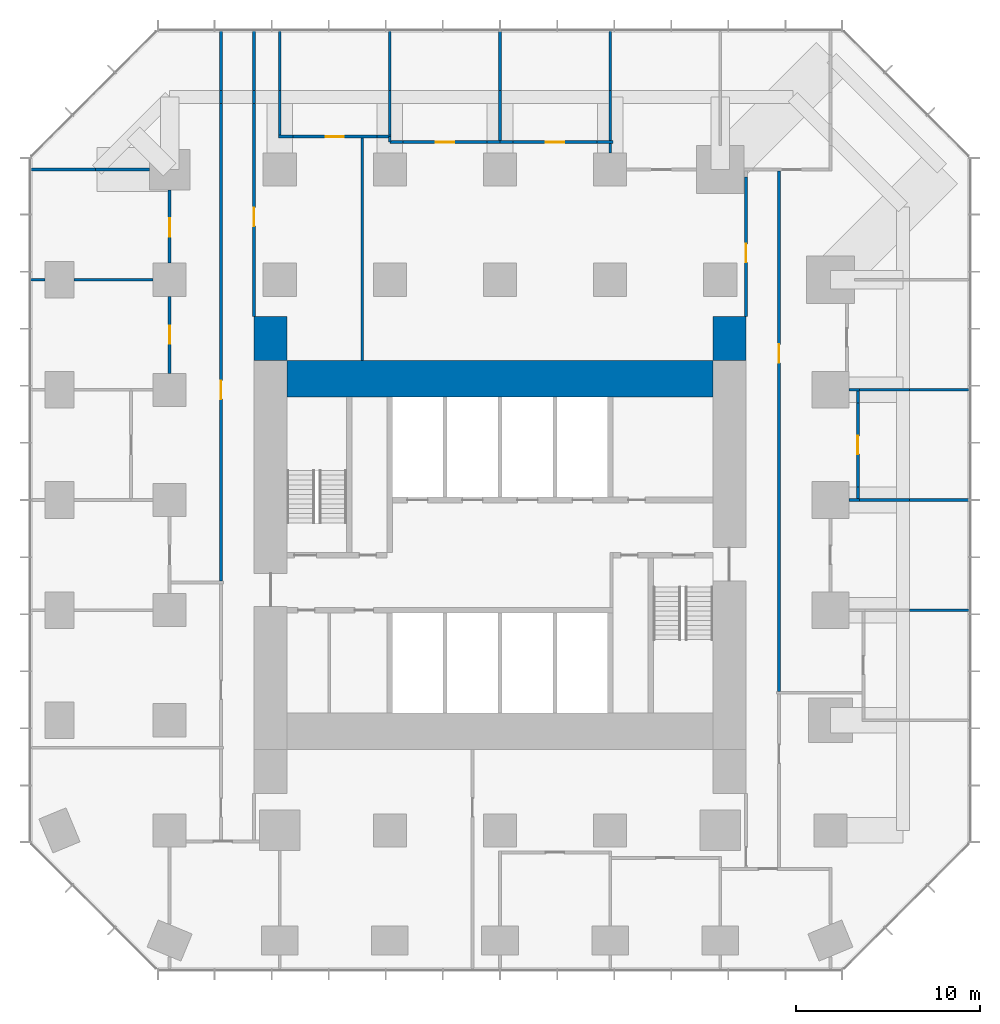
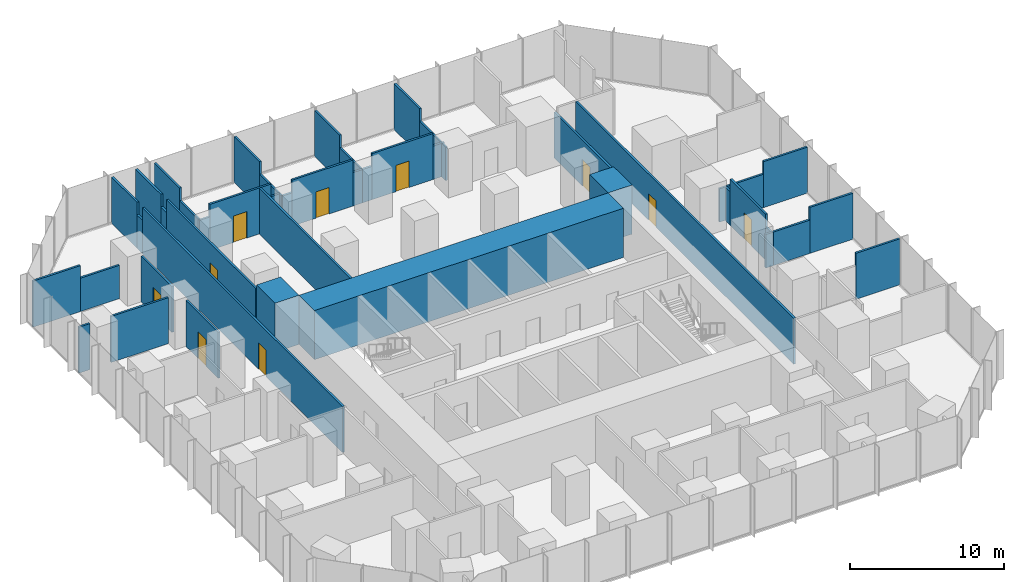
# One storey, part 10 of 12: 47 walls, 10 doors, 10 openings.
"""IFC4 building model written with IfcOpenShell, lengths in metres."""

import ifcopenshell
import ifcopenshell.guid

model = None  # the IFC model being written
_history = None  # IfcOwnerHistory: only IFC2X3 demands one
_inside = {}  # id of a spatial element -> (the spatial element, [elements in it])
_under = {}  # id of a project, library or spatial element -> (it, [spatial elements below it])
_declared = {}  # id of a project -> (the project, [libraries it declares])
_typed = {}  # id of a type object -> (the type object, [elements of that type])
_made_of = {}  # id of a material, layer set ... -> (it, [elements and type objects made of it])


def new_model(schema):
    """Start an empty IFC model of exactly this schema.

    Asked for "IFC4X3", IfcOpenShell would pick the latest addendum, in which some entities
    have other attributes; the version numbers below select the first issue.
    IFC2X3 requires an IfcOwnerHistory on every rooted entity: one is made here for all.
    """
    global model, _history
    if schema == "IFC4X3":
        model = ifcopenshell.file(schema_version=(4, 3, 0, 0))
    else:
        model = ifcopenshell.file(schema=schema)
    _inside.clear()
    _under.clear()
    _declared.clear()
    _typed.clear()
    _made_of.clear()
    _history = None
    if model.schema == "IFC2X3":
        org = make("IfcOrganization", Name="unknown")
        user = make(
            "IfcPersonAndOrganization",
            ThePerson=make("IfcPerson", FamilyName="unknown"),
            TheOrganization=org,
        )
        app = make(
            "IfcApplication",
            ApplicationDeveloper=org,
            Version="unknown",
            ApplicationFullName="unknown",
            ApplicationIdentifier="unknown",
        )
        _history = make(
            "IfcOwnerHistory",
            OwningUser=user,
            OwningApplication=app,
            ChangeAction="ADDED",
            CreationDate=0,
        )
    return model


def make(cls, **values):
    """One entity of the class cls with the attributes given. An attribute that is None is left unset."""
    return model.create_entity(
        cls, **{name: value for name, value in values.items() if value is not None}
    )


def rooted(cls, **values):
    """An entity with a GlobalId (a new one), such as an element, a storey or a relation."""
    return make(cls, GlobalId=ifcopenshell.guid.new(), OwnerHistory=_history, **values)


def si_unit(unit_type, name, prefix=None):
    """IfcSIUnit, for example si_unit("LENGTHUNIT", "METRE", prefix="MILLI")."""
    return make("IfcSIUnit", UnitType=unit_type, Prefix=prefix, Name=name)


def assignment(units):
    """IfcUnitAssignment: the units of a project."""
    return None if units is None else make("IfcUnitAssignment", Units=units)


def point(xyz):
    """IfcCartesianPoint."""
    return None if xyz is None else make("IfcCartesianPoint", Coordinates=xyz)


def direction(xyz):
    """IfcDirection."""
    return None if xyz is None else make("IfcDirection", DirectionRatios=xyz)


def frame(location, z_axis=None, x_axis=None):
    """IfcAxis2Placement3D, a coordinate frame: its origin and axes. An axis left out is left unset."""
    return make(
        "IfcAxis2Placement3D",
        Location=point(location),
        Axis=direction(z_axis),
        RefDirection=direction(x_axis),
    )


def frame_2d(location, x_axis=None):
    """IfcAxis2Placement2D, a coordinate frame in the plane: its origin and x axis."""
    return make(
        "IfcAxis2Placement2D", Location=point(location), RefDirection=direction(x_axis)
    )


def origin():
    """The frame at (0, 0, 0) with its axes left unset."""
    return frame((0.0, 0.0, 0.0))


def place(relative_to, where):
    """IfcLocalPlacement: puts the frame where relative to a parent placement (None: the world)."""
    return make(
        "IfcLocalPlacement", PlacementRelTo=relative_to, RelativePlacement=where
    )


def context(
    kind, dimensions, precision=None, world=None, true_north=None, identifier=None
):
    """IfcGeometricRepresentationContext, for example the 3D "Model" context."""
    return make(
        "IfcGeometricRepresentationContext",
        ContextIdentifier=identifier,
        ContextType=kind,
        CoordinateSpaceDimension=dimensions,
        Precision=precision,
        WorldCoordinateSystem=world,
        TrueNorth=true_north,
    )


def subcontext(parent, identifier, kind, view, scale=None):
    """IfcGeometricRepresentationSubContext, for example "Body" below "Model"."""
    return make(
        "IfcGeometricRepresentationSubContext",
        ContextIdentifier=identifier,
        ContextType=kind,
        ParentContext=parent,
        TargetScale=scale,
        TargetView=view,
    )


def project(units=None, contexts=None):
    """IfcProject with its units and contexts."""
    return rooted(
        "IfcProject",
        Name="project",
        RepresentationContexts=contexts,
        UnitsInContext=assignment(units),
    )


def spatial(cls, under=None, at=None, **own):
    """A site, building, storey or space (cls), placed at a placement, below another one or the project."""
    s = rooted(cls, ObjectPlacement=at, **own)
    if under is not None:
        _under.setdefault(under.id(), (under, []))[1].append(s)
    return s


def profile(cls, at=None, kind="AREA", **sizes):
    """A parametric profile (cls). Its sizes go by their IFC names, for example OverallWidth=200.0."""
    return make(cls, ProfileType=kind, Position=at, **sizes)


def rectangle(**sizes):
    """IfcRectangleProfileDef."""
    return profile("IfcRectangleProfileDef", **sizes)


def extrude(swept, where, along, depth):
    """IfcExtrudedAreaSolid: the profile swept, set in the frame where, extruded along a direction by depth."""
    return make(
        "IfcExtrudedAreaSolid",
        SweptArea=swept,
        Position=where,
        ExtrudedDirection=direction(along),
        Depth=depth,
    )


def shape(context_of_items, identifier, shape_type, items):
    """IfcShapeRepresentation: the items that make up one representation, for example the "Body"."""
    return make(
        "IfcShapeRepresentation",
        ContextOfItems=context_of_items,
        RepresentationIdentifier=identifier,
        RepresentationType=shape_type,
        Items=items,
    )


def material(Name=None, Category=None):
    """IfcMaterial."""
    return make("IfcMaterial", Name=Name, Category=Category)


def layer(
    of_material, thickness, ventilated=None, Name=None, Category=None, Priority=None
):
    """IfcMaterialLayer: one layer of a wall or slab, of a material (None: an air gap)."""
    return make(
        "IfcMaterialLayer",
        Material=of_material,
        LayerThickness=thickness,
        IsVentilated=ventilated,
        Name=Name,
        Category=Category,
        Priority=Priority,
    )


def layer_set(layers, Name=None):
    """IfcMaterialLayerSet."""
    return make("IfcMaterialLayerSet", MaterialLayers=layers, LayerSetName=Name)


def made_of(thing, what):
    """Note that an element or type object is made of a material, layer set ...; save() writes the relation."""
    if what is not None:
        _made_of.setdefault(what.id(), (what, []))[1].append(thing)
    return thing


def type_object(cls, material=None, **own):
    """A type object (cls), such as IfcWallType, which elements share."""
    return made_of(rooted(cls, **own), material)


def element(
    cls,
    number,
    at=None,
    inside=None,
    cuts=None,
    type_object=None,
    material=None,
    context=None,
    identifier="Body",
    shape_type=None,
    held_by="IfcProductDefinitionShape",
    body=None,
    shapes=None,
    **own,
):
    """One element of the class cls, such as IfcWall. Its Tag is "e" and its number.

    at: its placement. inside: the storey or other place that contains it. cuts: it is an
    opening in that element (IfcRelVoidsElement). A single representation is given by context,
    identifier, shape_type and body (its items); several are given by shapes. held_by: the class
    of the entity that holds the representations. save() writes the other relations.
    """
    e = rooted(cls, Tag="e%d" % number, ObjectPlacement=at, **own)
    if body is not None:
        shapes = [shape(context, identifier, shape_type, body)]
    if shapes is not None:
        e.Representation = make(held_by, Representations=shapes)
    if inside is not None:
        _inside.setdefault(inside.id(), (inside, []))[1].append(e)
    if cuts is not None:
        rooted(
            "IfcRelVoidsElement", RelatingBuildingElement=cuts, RelatedOpeningElement=e
        )
    if type_object is not None:
        _typed.setdefault(type_object.id(), (type_object, []))[1].append(e)
    return made_of(e, material)


def fill(opening, filler):
    """IfcRelFillsElement: the door or window that sits in an opening."""
    return rooted(
        "IfcRelFillsElement",
        RelatingOpeningElement=opening,
        RelatedBuildingElement=filler,
    )


def aggregate(whole, parts):
    """IfcRelAggregates: a whole, such as a stair, and the parts it consists of."""
    return rooted("IfcRelAggregates", RelatingObject=whole, RelatedObjects=parts)


def save(model, path):
    """Write the relations noted so far, then the file.

    IfcRelAggregates (storeys below a building ...), IfcRelContainedInSpatialStructure (elements
    in a storey), IfcRelDefinesByType, IfcRelAssociatesMaterial and IfcRelDeclares: one each for
    every whole, place, type object, material and project.
    """
    for whole, parts in _under.values():
        aggregate(whole, parts)
    for where, things in _inside.values():
        rooted(
            "IfcRelContainedInSpatialStructure",
            RelatedElements=things,
            RelatingStructure=where,
        )
    for kind, things in _typed.values():
        rooted("IfcRelDefinesByType", RelatedObjects=things, RelatingType=kind)
    for what, things in _made_of.values():
        rooted("IfcRelAssociatesMaterial", RelatedObjects=things, RelatingMaterial=what)
    for by, libraries in _declared.values():
        rooted("IfcRelDeclares", RelatingContext=by, RelatedDefinitions=libraries)
    model.write(path)


model = new_model("IFC4")

# Units and contexts
model_context = context("Model", 3, precision=1e-05, world=origin(), true_north=direction((0.0, 1.0)))
body_context = subcontext(model_context, "Body", "Model", "MODEL_VIEW")
ifc_project = project(units=[si_unit("LENGTHUNIT", "METRE"), si_unit("AREAUNIT", "SQUARE_METRE"), si_unit("VOLUMEUNIT", "CUBIC_METRE"), si_unit("PLANEANGLEUNIT", "RADIAN"), si_unit("MASSUNIT", "GRAM", prefix="KILO")], contexts=[model_context])

# Site, building, storey
site_placement = place(None, origin())
site = spatial("IfcSite", under=ifc_project, at=site_placement, CompositionType="ELEMENT")
building_placement = place(site_placement, origin())
building = spatial("IfcBuilding", under=site, at=building_placement, Name="Highveld Stack Headquarters", CompositionType="ELEMENT")
storey_placement = place(building_placement, frame((0.0, 0.0, 76.699951171875)))
storey = spatial("IfcBuildingStorey", under=building, at=storey_placement, Name="L18", CompositionType="ELEMENT", Elevation=76.699951171875)

# Walls
ifc_material_1 = material(Name="Concrete C60/75", Category="concrete")
ifc_layer_1 = layer(ifc_material_1, 2.0)
ifc_layer_set_1 = layer_set([ifc_layer_1], Name="Concrete C60/75")
wall_type_1 = type_object("IfcWallType", Name="CORE WALL 2000 C60/75", PredefinedType="SHEAR", material=ifc_layer_set_1)
wall_1_placement = place(storey_placement, frame((-5.60009765625, 12.60009765625, 0.0), z_axis=(0.0, 0.0, 1.0), x_axis=(1.0, 0.0, 0.0)))
element("IfcWall", 1, at=wall_1_placement, inside=storey, type_object=wall_type_1, Name="Core wall N L18", PredefinedType="SHEAR", context=body_context, shape_type="SweptSolid", body=[
    extrude(rectangle(XDim=23.2001953125, YDim=2.0, at=frame_2d((11.60009765625, 0.0))), origin(), (0.0, 0.0, 1.0), 3.900146484375),
])
ifc_material_2 = material(Name="Concrete C60/75", Category="concrete")
ifc_layer_2 = layer(ifc_material_2, 1.800048828125)
ifc_layer_set_2 = layer_set([ifc_layer_2], Name="Concrete C60/75")
wall_type_2 = type_object("IfcWallType", Name="CORE WING WALL 1800 C60/75", PredefinedType="SHEAR", material=ifc_layer_set_2)
for number, where, z_axis, x_axis, name in (
    (2, (-6.5, 13.60009765625, 0.0), (0.0, 0.0, 1.0), (0.0, 1.0, 0.0), "Core wing wall WN L18"),
    (3, (18.5, 13.60009765625, 0.0), (0.0, 0.0, 1.0), (0.0, 1.0, 0.0), "Core wing wall EN L18"),
):
    element("IfcWall", number, at=place(storey_placement, frame(where, z_axis=z_axis, x_axis=x_axis)), inside=storey, type_object=wall_type_2, Name=name, PredefinedType="SHEAR", context=body_context, shape_type="SweptSolid", body=[
        extrude(rectangle(XDim=2.39990234375, YDim=1.800048828125, at=frame_2d((1.199951171875, 0.0))), origin(), (0.0, 0.0, 1.0), 3.900146484375),
    ])

# Wall, opening, door
ifc_material_3 = material(Name="Laminated glass in aluminium frame", Category="aluminium")
ifc_layer_3 = layer(ifc_material_3, 0.14990234375)
ifc_layer_set_3 = layer_set([ifc_layer_3], Name="Laminated glass in aluminium frame")
wall_type_3 = type_object("IfcWallType", Name="GLAZED PARTITION 150", PredefinedType="PARTITIONING", material=ifc_layer_set_3)
wall_2_placement = place(storey_placement, frame((-12.0, 18.89990234375, 0.0), z_axis=(0.0, 0.0, 1.0), x_axis=(0.0, 1.0, 0.0)))
wall_2 = element("IfcWall", 4, at=wall_2_placement, inside=storey, type_object=wall_type_3, Name="Glazed partition Meeting room L18", PredefinedType="PARTITIONING", context=body_context, shape_type="SweptSolid", body=[
    extrude(rectangle(XDim=3.989990234375, YDim=0.14990234375, at=frame_2d((1.9951171875, 0.0))), origin(), (0.0, 0.0, 1.0), 3.650146484375),
])
opening_1_placement = place(wall_2_placement, frame((1.445068359375, 0.0, 0.0)))
opening_1 = element("IfcOpeningElement", 5, at=opening_1_placement, cuts=wall_2, Name="Opening L18-17", PredefinedType="OPENING", context=body_context, shape_type="SweptSolid", body=[
    extrude(rectangle(XDim=1.0, YDim=2.10009765625, at=frame_2d((0.5, 1.050048828125))), frame((0.0, 0.0849609375, 0.0), z_axis=(0.0, -1.0, 0.0), x_axis=(1.0, 0.0, 0.0)), (0.0, 0.0, 1.0), 0.169921875),
])
ifc_material_4 = material(Name="Timber door, oiled ash", Category="wood")
door_type = type_object("IfcDoorType", Name="ROOM DOOR D6 1000x2100", OperationType="SINGLE_SWING_LEFT", PredefinedType="DOOR", material=ifc_material_4)
door_1_placement = place(opening_1_placement, origin())
door_1 = element("IfcDoor", 6, at=door_1_placement, inside=storey, type_object=door_type, Name="Meeting room door 1 L18", OperationType="SINGLE_SWING_LEFT", OverallHeight=2.10009765625, OverallWidth=1.0, PredefinedType="DOOR", context=body_context, shape_type="SweptSolid", body=[
    extrude(rectangle(XDim=1.0, YDim=2.10009765625, at=frame_2d((0.5, 1.050048828125))), frame((0.0, 0.02490234375, 0.0), z_axis=(0.0, -1.0, 0.0), x_axis=(1.0, 0.0, 0.0)), (0.0, 0.0, 1.0), 0.050048828125),
])
fill(opening_1, door_1)

# Walls
ifc_material_5 = material(Name="Gypsum plasterboard on steel studs", Category="steel")
ifc_layer_4 = layer(ifc_material_5, 0.14990234375)
ifc_layer_set_4 = layer_set([ifc_layer_4], Name="Gypsum plasterboard on steel studs")
wall_type_4 = type_object("IfcWallType", Name="PARTITION 150 PLASTERBOARD", PredefinedType="PARTITIONING", material=ifc_layer_set_4)
wall_3_placement = place(storey_placement, frame((28.31005859375, 0.0, 0.0), z_axis=(0.0, 0.0, 1.0), x_axis=(1.0, 0.0, 0.0)))
element("IfcWall", 7, at=wall_3_placement, inside=storey, type_object=wall_type_4, Name="Partition Office / Print room L18", PredefinedType="PARTITIONING", context=body_context, shape_type="SweptSolid", body=[
    extrude(rectangle(XDim=3.2900390625, YDim=0.14990234375, at=frame_2d((1.64501953125, 0.0))), origin(), (0.0, 0.0, 1.0), 3.650146484375),
])
wall_4_placement = place(storey_placement, frame((25.0, 6.0, 0.0), z_axis=(0.0, 0.0, 1.0), x_axis=(1.0, 0.0, 0.0)))
element("IfcWall", 8, at=wall_4_placement, inside=storey, type_object=wall_type_4, Name="Partition Office L18", PredefinedType="PARTITIONING", context=body_context, shape_type="SweptSolid", body=[
    extrude(rectangle(XDim=0.574951171875, YDim=0.14990234375, at=frame_2d((0.28759765625, 0.0))), origin(), (0.0, 0.0, 1.0), 2.650146484375),
])
wall_5_placement = place(storey_placement, frame((25.5, 6.0, 0.0), z_axis=(0.0, 0.0, 1.0), x_axis=(1.0, 0.0, 0.0)))
element("IfcWall", 9, at=wall_5_placement, inside=storey, type_object=wall_type_4, Name="Partition Office / Quiet room L18", PredefinedType="PARTITIONING", context=body_context, shape_type="SweptSolid", body=[
    extrude(rectangle(XDim=2.81005859375, YDim=0.14990234375, at=frame_2d((1.405029296875, 0.0))), origin(), (0.0, 0.0, 1.0), 2.650146484375),
])
wall_6_placement = place(storey_placement, frame((28.31005859375, 6.0, 0.0), z_axis=(0.0, 0.0, 1.0), x_axis=(1.0, 0.0, 0.0)))
element("IfcWall", 10, at=wall_6_placement, inside=storey, type_object=wall_type_4, Name="Partition Office / Quiet room L18", PredefinedType="PARTITIONING", context=body_context, shape_type="SweptSolid", body=[
    extrude(rectangle(XDim=3.239990234375, YDim=0.14990234375, at=frame_2d((1.6201171875, 0.0))), origin(), (0.0, 0.0, 1.0), 3.650146484375),
])
wall_7_placement = place(storey_placement, frame((25.0, 12.0, 0.0), z_axis=(0.0, 0.0, 1.0), x_axis=(1.0, 0.0, 0.0)))
element("IfcWall", 11, at=wall_7_placement, inside=storey, type_object=wall_type_4, Name="Partition Interview room L18", PredefinedType="PARTITIONING", context=body_context, shape_type="SweptSolid", body=[
    extrude(rectangle(XDim=0.574951171875, YDim=0.14990234375, at=frame_2d((0.28759765625, 0.0))), origin(), (0.0, 0.0, 1.0), 2.650146484375),
])
wall_8_placement = place(storey_placement, frame((25.5, 12.0, 0.0), z_axis=(0.0, 0.0, 1.0), x_axis=(1.0, 0.0, 0.0)))
element("IfcWall", 12, at=wall_8_placement, inside=storey, type_object=wall_type_4, Name="Partition Interview room / Quiet room L18", PredefinedType="PARTITIONING", context=body_context, shape_type="SweptSolid", body=[
    extrude(rectangle(XDim=2.81005859375, YDim=0.14990234375, at=frame_2d((1.405029296875, 0.0))), origin(), (0.0, 0.0, 1.0), 2.650146484375),
])
wall_9_placement = place(storey_placement, frame((28.31005859375, 12.0, 0.0), z_axis=(0.0, 0.0, 1.0), x_axis=(1.0, 0.0, 0.0)))
element("IfcWall", 13, at=wall_9_placement, inside=storey, type_object=wall_type_4, Name="Partition Interview room / Quiet room L18", PredefinedType="PARTITIONING", context=body_context, shape_type="SweptSolid", body=[
    extrude(rectangle(XDim=3.2900390625, YDim=0.14990234375, at=frame_2d((1.64501953125, 0.0))), origin(), (0.0, 0.0, 1.0), 3.650146484375),
])
wall_10_placement = place(storey_placement, frame((-19.60009765625, 18.0, 0.0), z_axis=(0.0, 0.0, 1.0), x_axis=(1.0, 0.0, 0.0)))
element("IfcWall", 14, at=wall_10_placement, inside=storey, type_object=wall_type_4, Name="Partition Meeting room / Office L18", PredefinedType="PARTITIONING", context=body_context, shape_type="SweptSolid", body=[
    extrude(rectangle(XDim=0.800048828125, YDim=0.14990234375, at=frame_2d((0.39990234375, 0.0))), origin(), (0.0, 0.0, 1.0), 3.650146484375),
])
wall_11_placement = place(storey_placement, frame((-17.199951171875, 18.0, 0.0), z_axis=(0.0, 0.0, 1.0), x_axis=(1.0, 0.0, 0.0)))
element("IfcWall", 15, at=wall_11_placement, inside=storey, type_object=wall_type_4, Name="Partition Meeting room / Office L18", PredefinedType="PARTITIONING", context=body_context, shape_type="SweptSolid", body=[
    extrude(rectangle(XDim=4.300048828125, YDim=0.14990234375, at=frame_2d((2.14990234375, 0.0))), origin(), (0.0, 0.0, 1.0), 3.650146484375),
])
wall_12_placement = place(storey_placement, frame((-19.60009765625, 24.0, 0.0), z_axis=(0.0, 0.0, 1.0), x_axis=(1.0, 0.0, 0.0)))
element("IfcWall", 16, at=wall_12_placement, inside=storey, type_object=wall_type_4, Name="Partition Meeting room L18", PredefinedType="PARTITIONING", context=body_context, shape_type="SweptSolid", body=[
    extrude(rectangle(XDim=3.55517578125, YDim=0.14990234375, at=frame_2d((1.777587890625, 0.0))), origin(), (0.0, 0.0, 1.0), 3.650146484375),
])
wall_13_placement = place(storey_placement, frame((-16.044921875, 24.0, 0.0), z_axis=(0.0, 0.0, 1.0), x_axis=(1.0, 0.0, 0.0)))
element("IfcWall", 17, at=wall_13_placement, inside=storey, type_object=wall_type_4, Name="Partition Meeting room L18", PredefinedType="PARTITIONING", context=body_context, shape_type="SweptSolid", body=[
    extrude(rectangle(XDim=2.94482421875, YDim=0.14990234375, at=frame_2d((1.472412109375, 0.0))), origin(), (0.0, 0.0, 1.0), 2.650146484375),
])
wall_14_placement = place(storey_placement, frame((0.0, 25.5, 0.0), z_axis=(0.0, 0.0, 1.0), x_axis=(1.0, 0.0, 0.0)))
element("IfcWall", 18, at=wall_14_placement, inside=storey, type_object=wall_type_4, Name="Partition Quiet room L18", PredefinedType="PARTITIONING", context=body_context, shape_type="SweptSolid", body=[
    extrude(rectangle(XDim=0.7099609375, YDim=0.14990234375, at=frame_2d((0.35498046875, 0.0))), origin(), (0.0, 0.0, 1.0), 2.650146484375),
])

# Wall, opening, door
wall_15_placement = place(storey_placement, frame((0.7099609375, 25.5, 0.0), z_axis=(0.0, 0.0, 1.0), x_axis=(1.0, 0.0, 0.0)))
wall_15 = element("IfcWall", 19, at=wall_15_placement, inside=storey, type_object=wall_type_4, Name="Partition Quiet room L18", PredefinedType="PARTITIONING", context=body_context, shape_type="SweptSolid", body=[
    extrude(rectangle(XDim=4.580078125, YDim=0.14990234375, at=frame_2d((2.2900390625, 0.0))), origin(), (0.0, 0.0, 1.0), 3.650146484375),
])
opening_2_placement = place(wall_15_placement, frame((1.7900390625, 0.0, 0.0)))
opening_2 = element("IfcOpeningElement", 20, at=opening_2_placement, cuts=wall_15, Name="Opening L18-23", PredefinedType="OPENING", context=body_context, shape_type="SweptSolid", body=[
    extrude(rectangle(XDim=1.0, YDim=2.10009765625, at=frame_2d((0.5, 1.050048828125))), frame((0.0, 0.0849609375, 0.0), z_axis=(0.0, -1.0, 0.0), x_axis=(1.0, 0.0, 0.0)), (0.0, 0.0, 1.0), 0.169921875),
])
door_2_placement = place(opening_2_placement, origin())
door_2 = element("IfcDoor", 21, at=door_2_placement, inside=storey, type_object=door_type, Name="Quiet room door 1 L18", OperationType="SINGLE_SWING_LEFT", OverallHeight=2.10009765625, OverallWidth=1.0, PredefinedType="DOOR", context=body_context, shape_type="SweptSolid", body=[
    extrude(rectangle(XDim=1.0, YDim=2.10009765625, at=frame_2d((0.5, 1.050048828125))), frame((0.0, 0.02490234375, 0.0), z_axis=(0.0, -1.0, 0.0), x_axis=(1.0, 0.0, 0.0)), (0.0, 0.0, 1.0), 0.050048828125),
])
fill(opening_2, door_2)

# Walls
wall_16_placement = place(storey_placement, frame((5.2900390625, 25.5, 0.0), z_axis=(0.0, 0.0, 1.0), x_axis=(1.0, 0.0, 0.0)))
element("IfcWall", 22, at=wall_16_placement, inside=storey, type_object=wall_type_4, Name="Partition Quiet room L18", PredefinedType="PARTITIONING", context=body_context, shape_type="SweptSolid", body=[
    extrude(rectangle(XDim=0.784912109375, YDim=0.14990234375, at=frame_2d((0.392578125, 0.0))), origin(), (0.0, 0.0, 1.0), 2.650146484375),
])
wall_17_placement = place(storey_placement, frame((6.0, 25.5, 0.0), z_axis=(0.0, 0.0, 1.0), x_axis=(1.0, 0.0, 0.0)))
element("IfcWall", 23, at=wall_17_placement, inside=storey, type_object=wall_type_4, Name="Partition Quiet room L18", PredefinedType="PARTITIONING", context=body_context, shape_type="SweptSolid", body=[
    extrude(rectangle(XDim=0.7099609375, YDim=0.14990234375, at=frame_2d((0.35498046875, 0.0))), origin(), (0.0, 0.0, 1.0), 2.650146484375),
])

# Wall, opening, door
wall_18_placement = place(storey_placement, frame((6.7099609375, 25.5, 0.0), z_axis=(0.0, 0.0, 1.0), x_axis=(1.0, 0.0, 0.0)))
wall_18 = element("IfcWall", 24, at=wall_18_placement, inside=storey, type_object=wall_type_4, Name="Partition Quiet room L18", PredefinedType="PARTITIONING", context=body_context, shape_type="SweptSolid", body=[
    extrude(rectangle(XDim=4.580078125, YDim=0.14990234375, at=frame_2d((2.2900390625, 0.0))), origin(), (0.0, 0.0, 1.0), 3.650146484375),
])
opening_3_placement = place(wall_18_placement, frame((1.7900390625, 0.0, 0.0)))
opening_3 = element("IfcOpeningElement", 25, at=opening_3_placement, cuts=wall_18, Name="Opening L18-24", PredefinedType="OPENING", context=body_context, shape_type="SweptSolid", body=[
    extrude(rectangle(XDim=1.0, YDim=2.10009765625, at=frame_2d((0.5, 1.050048828125))), frame((0.0, 0.0849609375, 0.0), z_axis=(0.0, -1.0, 0.0), x_axis=(1.0, 0.0, 0.0)), (0.0, 0.0, 1.0), 0.169921875),
])
door_3_placement = place(opening_3_placement, origin())
door_3 = element("IfcDoor", 26, at=door_3_placement, inside=storey, type_object=door_type, Name="Quiet room door 1 L18", OperationType="SINGLE_SWING_RIGHT", OverallHeight=2.10009765625, OverallWidth=1.0, PredefinedType="DOOR", context=body_context, shape_type="SweptSolid", body=[
    extrude(rectangle(XDim=1.0, YDim=2.10009765625, at=frame_2d((0.5, 1.050048828125))), frame((0.0, 0.02490234375, 0.0), z_axis=(0.0, -1.0, 0.0), x_axis=(1.0, 0.0, 0.0)), (0.0, 0.0, 1.0), 0.050048828125),
])
fill(opening_3, door_3)

# Walls
wall_19_placement = place(storey_placement, frame((11.2900390625, 25.5, 0.0), z_axis=(0.0, 0.0, 1.0), x_axis=(1.0, 0.0, 0.0)))
element("IfcWall", 27, at=wall_19_placement, inside=storey, type_object=wall_type_4, Name="Partition Quiet room L18", PredefinedType="PARTITIONING", context=body_context, shape_type="SweptSolid", body=[
    extrude(rectangle(XDim=0.85986328125, YDim=0.14990234375, at=frame_2d((0.429931640625, 0.0))), origin(), (0.0, 0.0, 1.0), 2.650146484375),
])
wall_20_placement = place(storey_placement, frame((-6.074951171875, 25.800048828125, 0.0), z_axis=(0.0, 0.0, 1.0), x_axis=(1.0, 0.0, 0.0)))
element("IfcWall", 28, at=wall_20_placement, inside=storey, type_object=wall_type_4, Name="Partition Print room L18", PredefinedType="PARTITIONING", context=body_context, shape_type="SweptSolid", body=[
    extrude(rectangle(XDim=0.784912109375, YDim=0.14990234375, at=frame_2d((0.392578125, 0.0))), origin(), (0.0, 0.0, 1.0), 2.650146484375),
])

# Wall, opening, door
wall_21_placement = place(storey_placement, frame((-5.2900390625, 25.800048828125, 0.0), z_axis=(0.0, 0.0, 1.0), x_axis=(1.0, 0.0, 0.0)))
wall_21 = element("IfcWall", 29, at=wall_21_placement, inside=storey, type_object=wall_type_4, Name="Partition Print room L18", PredefinedType="PARTITIONING", context=body_context, shape_type="SweptSolid", body=[
    extrude(rectangle(XDim=4.580078125, YDim=0.14990234375, at=frame_2d((2.2900390625, 0.0))), origin(), (0.0, 0.0, 1.0), 3.650146484375),
])
opening_4_placement = place(wall_21_placement, frame((1.7900390625, 0.0, 0.0)))
opening_4 = element("IfcOpeningElement", 30, at=opening_4_placement, cuts=wall_21, Name="Opening L18-22", PredefinedType="OPENING", context=body_context, shape_type="SweptSolid", body=[
    extrude(rectangle(XDim=1.0, YDim=2.10009765625, at=frame_2d((0.5, 1.050048828125))), frame((0.0, 0.0849609375, 0.0), z_axis=(0.0, -1.0, 0.0), x_axis=(1.0, 0.0, 0.0)), (0.0, 0.0, 1.0), 0.169921875),
])
door_4_placement = place(opening_4_placement, origin())
door_4 = element("IfcDoor", 31, at=door_4_placement, inside=storey, type_object=door_type, Name="Print room door 1 L18", OperationType="SINGLE_SWING_RIGHT", OverallHeight=2.10009765625, OverallWidth=1.0, PredefinedType="DOOR", context=body_context, shape_type="SweptSolid", body=[
    extrude(rectangle(XDim=1.0, YDim=2.10009765625, at=frame_2d((0.5, 1.050048828125))), frame((0.0, 0.02490234375, 0.0), z_axis=(0.0, -1.0, 0.0), x_axis=(1.0, 0.0, 0.0)), (0.0, 0.0, 1.0), 0.050048828125),
])
fill(opening_4, door_4)

# Wall
wall_22_placement = place(storey_placement, frame((-0.7099609375, 25.800048828125, 0.0), z_axis=(0.0, 0.0, 1.0), x_axis=(1.0, 0.0, 0.0)))
element("IfcWall", 32, at=wall_22_placement, inside=storey, type_object=wall_type_4, Name="Partition Print room L18", PredefinedType="PARTITIONING", context=body_context, shape_type="SweptSolid", body=[
    extrude(rectangle(XDim=0.784912109375, YDim=0.14990234375, at=frame_2d((0.392578125, 0.0))), origin(), (0.0, 0.0, 1.0), 2.650146484375),
])

# Wall, opening, door
wall_23_placement = place(storey_placement, frame((-12.0, 12.89990234375, 0.0), z_axis=(0.0, 0.0, 1.0), x_axis=(0.0, 1.0, 0.0)))
wall_23 = element("IfcWall", 33, at=wall_23_placement, inside=storey, type_object=wall_type_4, Name="Partition Office L18", PredefinedType="PARTITIONING", context=body_context, shape_type="SweptSolid", body=[
    extrude(rectangle(XDim=4.2001953125, YDim=0.14990234375, at=frame_2d((2.10009765625, 0.0))), origin(), (0.0, 0.0, 1.0), 3.650146484375),
])
opening_5_placement = place(wall_23_placement, frame((1.60009765625, 0.0, 0.0)))
opening_5 = element("IfcOpeningElement", 34, at=opening_5_placement, cuts=wall_23, Name="Opening L18-16", PredefinedType="OPENING", context=body_context, shape_type="SweptSolid", body=[
    extrude(rectangle(XDim=1.0, YDim=2.10009765625, at=frame_2d((0.5, 1.050048828125))), frame((0.0, 0.0849609375, 0.0), z_axis=(0.0, -1.0, 0.0), x_axis=(1.0, 0.0, 0.0)), (0.0, 0.0, 1.0), 0.169921875),
])
door_5_placement = place(opening_5_placement, origin())
door_5 = element("IfcDoor", 35, at=door_5_placement, inside=storey, type_object=door_type, Name="Office door 1 L18", OperationType="SINGLE_SWING_LEFT", OverallHeight=2.10009765625, OverallWidth=1.0, PredefinedType="DOOR", context=body_context, shape_type="SweptSolid", body=[
    extrude(rectangle(XDim=1.0, YDim=2.10009765625, at=frame_2d((0.5, 1.050048828125))), frame((0.0, 0.02490234375, 0.0), z_axis=(0.0, -1.0, 0.0), x_axis=(1.0, 0.0, 0.0)), (0.0, 0.0, 1.0), 0.050048828125),
])
fill(opening_5, door_5)

# Walls
wall_24_placement = place(storey_placement, frame((-6.0, 25.875, 0.0), z_axis=(0.0, 0.0, 1.0), x_axis=(0.0, 1.0, 0.0)))
element("IfcWall", 36, at=wall_24_placement, inside=storey, type_object=wall_type_4, Name="Partition Print room L18", PredefinedType="PARTITIONING", context=body_context, shape_type="SweptSolid", body=[
    extrude(rectangle(XDim=2.43505859375, YDim=0.14990234375, at=frame_2d((1.217529296875, 0.0))), origin(), (0.0, 0.0, 1.0), 2.650146484375),
])
wall_25_placement = place(storey_placement, frame((-6.0, 28.31005859375, 0.0), z_axis=(0.0, 0.0, 1.0), x_axis=(0.0, 1.0, 0.0)))
element("IfcWall", 37, at=wall_25_placement, inside=storey, type_object=wall_type_4, Name="Partition Print room L18", PredefinedType="PARTITIONING", context=body_context, shape_type="SweptSolid", body=[
    extrude(rectangle(XDim=3.2900390625, YDim=0.14990234375, at=frame_2d((1.64501953125, 0.0))), origin(), (0.0, 0.0, 1.0), 3.650146484375),
])
wall_26_placement = place(storey_placement, frame((0.0, 25.5, 0.0), z_axis=(0.0, 0.0, 1.0), x_axis=(0.0, 1.0, 0.0)))
element("IfcWall", 38, at=wall_26_placement, inside=storey, type_object=wall_type_4, Name="Partition Quiet room L18", PredefinedType="PARTITIONING", context=body_context, shape_type="SweptSolid", body=[
    extrude(rectangle(XDim=0.300048828125, YDim=0.14990234375, at=frame_2d((0.14990234375, 0.0))), origin(), (0.0, 0.0, 1.0), 2.650146484375),
])
wall_27_placement = place(storey_placement, frame((0.0, 25.875, 0.0), z_axis=(0.0, 0.0, 1.0), x_axis=(0.0, 1.0, 0.0)))
element("IfcWall", 39, at=wall_27_placement, inside=storey, type_object=wall_type_4, Name="Partition Print room / Quiet room L18", PredefinedType="PARTITIONING", context=body_context, shape_type="SweptSolid", body=[
    extrude(rectangle(XDim=2.43505859375, YDim=0.14990234375, at=frame_2d((1.217529296875, 0.0))), origin(), (0.0, 0.0, 1.0), 2.650146484375),
])
wall_28_placement = place(storey_placement, frame((0.0, 28.31005859375, 0.0), z_axis=(0.0, 0.0, 1.0), x_axis=(0.0, 1.0, 0.0)))
element("IfcWall", 40, at=wall_28_placement, inside=storey, type_object=wall_type_4, Name="Partition Print room / Quiet room L18", PredefinedType="PARTITIONING", context=body_context, shape_type="SweptSolid", body=[
    extrude(rectangle(XDim=3.2900390625, YDim=0.14990234375, at=frame_2d((1.64501953125, 0.0))), origin(), (0.0, 0.0, 1.0), 3.650146484375),
])
wall_29_placement = place(storey_placement, frame((6.0, 25.574951171875, 0.0), z_axis=(0.0, 0.0, 1.0), x_axis=(0.0, 1.0, 0.0)))
element("IfcWall", 41, at=wall_29_placement, inside=storey, type_object=wall_type_4, Name="Partition Quiet room L18", PredefinedType="PARTITIONING", context=body_context, shape_type="SweptSolid", body=[
    extrude(rectangle(XDim=2.735107421875, YDim=0.14990234375, at=frame_2d((1.36767578125, 0.0))), origin(), (0.0, 0.0, 1.0), 2.650146484375),
])
wall_30_placement = place(storey_placement, frame((6.0, 28.31005859375, 0.0), z_axis=(0.0, 0.0, 1.0), x_axis=(0.0, 1.0, 0.0)))
element("IfcWall", 42, at=wall_30_placement, inside=storey, type_object=wall_type_4, Name="Partition Quiet room L18", PredefinedType="PARTITIONING", context=body_context, shape_type="SweptSolid", body=[
    extrude(rectangle(XDim=3.239990234375, YDim=0.14990234375, at=frame_2d((1.6201171875, 0.0))), origin(), (0.0, 0.0, 1.0), 3.650146484375),
])
wall_31_placement = place(storey_placement, frame((12.0, 24.89990234375, 0.0), z_axis=(0.0, 0.0, 1.0), x_axis=(0.0, 1.0, 0.0)))
element("IfcWall", 43, at=wall_31_placement, inside=storey, type_object=wall_type_4, Name="Partition Meeting room L18", PredefinedType="PARTITIONING", context=body_context, shape_type="SweptSolid", body=[
    extrude(rectangle(XDim=0.525146484375, YDim=0.14990234375, at=frame_2d((0.2626953125, 0.0))), origin(), (0.0, 0.0, 1.0), 2.650146484375),
])
wall_32_placement = place(storey_placement, frame((12.0, 25.574951171875, 0.0), z_axis=(0.0, 0.0, 1.0), x_axis=(0.0, 1.0, 0.0)))
element("IfcWall", 44, at=wall_32_placement, inside=storey, type_object=wall_type_4, Name="Partition Meeting room / Quiet room L18", PredefinedType="PARTITIONING", context=body_context, shape_type="SweptSolid", body=[
    extrude(rectangle(XDim=2.735107421875, YDim=0.14990234375, at=frame_2d((1.36767578125, 0.0))), origin(), (0.0, 0.0, 1.0), 2.650146484375),
])
wall_33_placement = place(storey_placement, frame((12.0, 28.31005859375, 0.0), z_axis=(0.0, 0.0, 1.0), x_axis=(0.0, 1.0, 0.0)))
element("IfcWall", 45, at=wall_33_placement, inside=storey, type_object=wall_type_4, Name="Partition Meeting room / Quiet room L18", PredefinedType="PARTITIONING", context=body_context, shape_type="SweptSolid", body=[
    extrude(rectangle(XDim=3.2900390625, YDim=0.14990234375, at=frame_2d((1.64501953125, 0.0))), origin(), (0.0, 0.0, 1.0), 3.650146484375),
])
wall_34_placement = place(storey_placement, frame((25.5, 6.074951171875, 0.0), z_axis=(0.0, 0.0, 1.0), x_axis=(0.0, 1.0, 0.0)))
element("IfcWall", 46, at=wall_34_placement, inside=storey, type_object=wall_type_4, Name="Partition Quiet room L18", PredefinedType="PARTITIONING", context=body_context, shape_type="SweptSolid", body=[
    extrude(rectangle(XDim=0.635009765625, YDim=0.14990234375, at=frame_2d((0.3173828125, 0.0))), origin(), (0.0, 0.0, 1.0), 2.650146484375),
])

# Wall, opening, door
wall_35_placement = place(storey_placement, frame((25.5, 6.7099609375, 0.0), z_axis=(0.0, 0.0, 1.0), x_axis=(0.0, 1.0, 0.0)))
wall_35 = element("IfcWall", 47, at=wall_35_placement, inside=storey, type_object=wall_type_4, Name="Partition Quiet room L18", PredefinedType="PARTITIONING", context=body_context, shape_type="SweptSolid", body=[
    extrude(rectangle(XDim=4.580078125, YDim=0.14990234375, at=frame_2d((2.2900390625, 0.0))), origin(), (0.0, 0.0, 1.0), 3.650146484375),
])
opening_6_placement = place(wall_35_placement, frame((1.7900390625, 0.0, 0.0)))
opening_6 = element("IfcOpeningElement", 48, at=opening_6_placement, cuts=wall_35, Name="Opening L18-20", PredefinedType="OPENING", context=body_context, shape_type="SweptSolid", body=[
    extrude(rectangle(XDim=1.0, YDim=2.10009765625, at=frame_2d((0.5, 1.050048828125))), frame((0.0, 0.0849609375, 0.0), z_axis=(0.0, -1.0, 0.0), x_axis=(1.0, 0.0, 0.0)), (0.0, 0.0, 1.0), 0.169921875),
])
door_6_placement = place(opening_6_placement, origin())
door_6 = element("IfcDoor", 49, at=door_6_placement, inside=storey, type_object=door_type, Name="Quiet room door 1 L18", OperationType="SINGLE_SWING_LEFT", OverallHeight=2.10009765625, OverallWidth=1.0, PredefinedType="DOOR", context=body_context, shape_type="SweptSolid", body=[
    extrude(rectangle(XDim=1.0, YDim=2.10009765625, at=frame_2d((0.5, 1.050048828125))), frame((0.0, 0.02490234375, 0.0), z_axis=(0.0, -1.0, 0.0), x_axis=(1.0, 0.0, 0.0)), (0.0, 0.0, 1.0), 0.050048828125),
])
fill(opening_6, door_6)

# Wall
wall_36_placement = place(storey_placement, frame((25.5, 11.2900390625, 0.0), z_axis=(0.0, 0.0, 1.0), x_axis=(0.0, 1.0, 0.0)))
element("IfcWall", 50, at=wall_36_placement, inside=storey, type_object=wall_type_4, Name="Partition Quiet room L18", PredefinedType="PARTITIONING", context=body_context, shape_type="SweptSolid", body=[
    extrude(rectangle(XDim=0.635009765625, YDim=0.14990234375, at=frame_2d((0.3173828125, 0.0))), origin(), (0.0, 0.0, 1.0), 2.650146484375),
])

# Wall, opening, door
wall_37_placement = place(storey_placement, frame((-9.199951171875, 1.574951171875, 0.0), z_axis=(0.0, 0.0, 1.0), x_axis=(0.0, 1.0, 0.0)))
wall_37 = element("IfcWall", 51, at=wall_37_placement, inside=storey, type_object=wall_type_4, Name="Partition office neighbourhood L18", PredefinedType="PARTITIONING", context=body_context, shape_type="SweptSolid", body=[
    extrude(rectangle(XDim=26.01513671875, YDim=0.14990234375, at=frame_2d((13.007568359375, 0.0))), origin(), (0.0, 0.0, 1.0), 3.650146484375),
])
opening_7_placement = place(wall_37_placement, frame((9.925048828125, 0.0, 0.0)))
opening_7 = element("IfcOpeningElement", 52, at=opening_7_placement, cuts=wall_37, Name="Opening L18-31", PredefinedType="OPENING", context=body_context, shape_type="SweptSolid", body=[
    extrude(rectangle(XDim=1.0, YDim=2.10009765625, at=frame_2d((0.5, 1.050048828125))), frame((0.0, 0.0849609375, 0.0), z_axis=(0.0, -1.0, 0.0), x_axis=(1.0, 0.0, 0.0)), (0.0, 0.0, 1.0), 0.169921875),
])
door_7_placement = place(opening_7_placement, origin())
door_7 = element("IfcDoor", 53, at=door_7_placement, inside=storey, type_object=door_type, Name="Office neighbourhood door L18", OperationType="SINGLE_SWING_LEFT", OverallHeight=2.10009765625, OverallWidth=1.0, PredefinedType="DOOR", context=body_context, shape_type="SweptSolid", body=[
    extrude(rectangle(XDim=1.0, YDim=2.10009765625, at=frame_2d((0.5, 1.050048828125))), frame((0.0, 0.02490234375, 0.0), z_axis=(0.0, -1.0, 0.0), x_axis=(1.0, 0.0, 0.0)), (0.0, 0.0, 1.0), 0.050048828125),
])
fill(opening_7, door_7)

# Walls
wall_38_placement = place(storey_placement, frame((-9.199951171875, 27.590087890625, 0.0), z_axis=(0.0, 0.0, 1.0), x_axis=(0.0, 1.0, 0.0)))
element("IfcWall", 54, at=wall_38_placement, inside=storey, type_object=wall_type_4, Name="Partition office neighbourhood L18", PredefinedType="PARTITIONING", context=body_context, shape_type="SweptSolid", body=[
    extrude(rectangle(XDim=0.719970703125, YDim=0.14990234375, at=frame_2d((0.35986328125, 0.0))), origin(), (0.0, 0.0, 1.0), 2.650146484375),
])
wall_39_placement = place(storey_placement, frame((-9.199951171875, 28.31005859375, 0.0), z_axis=(0.0, 0.0, 1.0), x_axis=(0.0, 1.0, 0.0)))
element("IfcWall", 55, at=wall_39_placement, inside=storey, type_object=wall_type_4, Name="Partition office neighbourhood L18", PredefinedType="PARTITIONING", context=body_context, shape_type="SweptSolid", body=[
    extrude(rectangle(XDim=3.2900390625, YDim=0.14990234375, at=frame_2d((1.64501953125, 0.0))), origin(), (0.0, 0.0, 1.0), 3.650146484375),
])

# Wall, opening, door
wall_40_placement = place(storey_placement, frame((-7.39990234375, 16.0, 0.0), z_axis=(0.0, 0.0, 1.0), x_axis=(0.0, 1.0, 0.0)))
wall_40 = element("IfcWall", 56, at=wall_40_placement, inside=storey, type_object=wall_type_4, Name="Partition office neighbourhood L18", PredefinedType="PARTITIONING", context=body_context, shape_type="SweptSolid", body=[
    extrude(rectangle(XDim=11.590087890625, YDim=0.14990234375, at=frame_2d((5.794921875, 0.0))), origin(), (0.0, 0.0, 1.0), 3.650146484375),
])
opening_8_placement = place(wall_40_placement, frame((4.925048828125, 0.0, 0.0)))
opening_8 = element("IfcOpeningElement", 57, at=opening_8_placement, cuts=wall_40, Name="Opening L18-32", PredefinedType="OPENING", context=body_context, shape_type="SweptSolid", body=[
    extrude(rectangle(XDim=1.0, YDim=2.10009765625, at=frame_2d((0.5, 1.050048828125))), frame((0.0, 0.0849609375, 0.0), z_axis=(0.0, -1.0, 0.0), x_axis=(1.0, 0.0, 0.0)), (0.0, 0.0, 1.0), 0.169921875),
])
door_8_placement = place(opening_8_placement, origin())
door_8 = element("IfcDoor", 58, at=door_8_placement, inside=storey, type_object=door_type, Name="Office neighbourhood door L18", OperationType="SINGLE_SWING_LEFT", OverallHeight=2.10009765625, OverallWidth=1.0, PredefinedType="DOOR", context=body_context, shape_type="SweptSolid", body=[
    extrude(rectangle(XDim=1.0, YDim=2.10009765625, at=frame_2d((0.5, 1.050048828125))), frame((0.0, 0.02490234375, 0.0), z_axis=(0.0, -1.0, 0.0), x_axis=(1.0, 0.0, 0.0)), (0.0, 0.0, 1.0), 0.050048828125),
])
fill(opening_8, door_8)

# Walls
wall_41_placement = place(storey_placement, frame((-7.39990234375, 27.590087890625, 0.0), z_axis=(0.0, 0.0, 1.0), x_axis=(0.0, 1.0, 0.0)))
element("IfcWall", 59, at=wall_41_placement, inside=storey, type_object=wall_type_4, Name="Partition office neighbourhood L18", PredefinedType="PARTITIONING", context=body_context, shape_type="SweptSolid", body=[
    extrude(rectangle(XDim=0.719970703125, YDim=0.14990234375, at=frame_2d((0.35986328125, 0.0))), origin(), (0.0, 0.0, 1.0), 2.650146484375),
])
wall_42_placement = place(storey_placement, frame((-7.39990234375, 28.31005859375, 0.0), z_axis=(0.0, 0.0, 1.0), x_axis=(0.0, 1.0, 0.0)))
element("IfcWall", 60, at=wall_42_placement, inside=storey, type_object=wall_type_4, Name="Partition office neighbourhood L18", PredefinedType="PARTITIONING", context=body_context, shape_type="SweptSolid", body=[
    extrude(rectangle(XDim=3.2900390625, YDim=0.14990234375, at=frame_2d((1.64501953125, 0.0))), origin(), (0.0, 0.0, 1.0), 3.650146484375),
])
wall_43_placement = place(storey_placement, frame((-1.5, 13.60009765625, 0.0), z_axis=(0.0, 0.0, 1.0), x_axis=(0.0, 1.0, 0.0)))
element("IfcWall", 61, at=wall_43_placement, inside=storey, type_object=wall_type_4, Name="Partition office neighbourhood L18", PredefinedType="PARTITIONING", context=body_context, shape_type="SweptSolid", body=[
    extrude(rectangle(XDim=12.125, YDim=0.14990234375, at=frame_2d((6.0625, 0.0))), origin(), (0.0, 0.0, 1.0), 3.650146484375),
])

# Wall, opening, door
wall_44_placement = place(storey_placement, frame((19.39990234375, 16.0, 0.0), z_axis=(0.0, 0.0, 1.0), x_axis=(0.0, 1.0, 0.0)))
wall_44 = element("IfcWall", 62, at=wall_44_placement, inside=storey, type_object=wall_type_4, Name="Partition office neighbourhood L18", PredefinedType="PARTITIONING", context=body_context, shape_type="SweptSolid", body=[
    extrude(rectangle(XDim=7.60791015625, YDim=0.14990234375, at=frame_2d((3.803955078125, 0.0))), origin(), (0.0, 0.0, 1.0), 3.650146484375),
])
opening_9_placement = place(wall_44_placement, frame((2.949951171875, 0.0, 0.0)))
opening_9 = element("IfcOpeningElement", 63, at=opening_9_placement, cuts=wall_44, Name="Opening L18-33", PredefinedType="OPENING", context=body_context, shape_type="SweptSolid", body=[
    extrude(rectangle(XDim=1.0, YDim=2.10009765625, at=frame_2d((0.5, 1.050048828125))), frame((0.0, 0.0849609375, 0.0), z_axis=(0.0, -1.0, 0.0), x_axis=(1.0, 0.0, 0.0)), (0.0, 0.0, 1.0), 0.169921875),
])
door_9_placement = place(opening_9_placement, origin())
door_9 = element("IfcDoor", 64, at=door_9_placement, inside=storey, type_object=door_type, Name="Office neighbourhood door L18", OperationType="SINGLE_SWING_LEFT", OverallHeight=2.10009765625, OverallWidth=1.0, PredefinedType="DOOR", context=body_context, shape_type="SweptSolid", body=[
    extrude(rectangle(XDim=1.0, YDim=2.10009765625, at=frame_2d((0.5, 1.050048828125))), frame((0.0, 0.02490234375, 0.0), z_axis=(0.0, -1.0, 0.0), x_axis=(1.0, 0.0, 0.0)), (0.0, 0.0, 1.0), 0.050048828125),
])
fill(opening_9, door_9)

wall_45_placement = place(storey_placement, frame((21.199951171875, -4.425048828125, 0.0), z_axis=(0.0, 0.0, 1.0), x_axis=(0.0, 1.0, 0.0)))
wall_45 = element("IfcWall", 65, at=wall_45_placement, inside=storey, type_object=wall_type_4, Name="Partition office neighbourhood L18", PredefinedType="PARTITIONING", context=body_context, shape_type="SweptSolid", body=[
    extrude(rectangle(XDim=28.35009765625, YDim=0.14990234375, at=frame_2d((14.175048828125, 0.0))), origin(), (0.0, 0.0, 1.0), 3.650146484375),
])
opening_10_placement = place(wall_45_placement, frame((17.90087890625, 0.0, 0.0)))
opening_10 = element("IfcOpeningElement", 66, at=opening_10_placement, cuts=wall_45, Name="Opening L18-30", PredefinedType="OPENING", context=body_context, shape_type="SweptSolid", body=[
    extrude(rectangle(XDim=1.0, YDim=2.10009765625, at=frame_2d((0.5, 1.050048828125))), frame((0.0, 0.0849609375, 0.0), z_axis=(0.0, -1.0, 0.0), x_axis=(1.0, 0.0, 0.0)), (0.0, 0.0, 1.0), 0.169921875),
])
door_10_placement = place(opening_10_placement, origin())
door_10 = element("IfcDoor", 67, at=door_10_placement, inside=storey, type_object=door_type, Name="Office neighbourhood door L18", OperationType="SINGLE_SWING_RIGHT", OverallHeight=2.10009765625, OverallWidth=1.0, PredefinedType="DOOR", context=body_context, shape_type="SweptSolid", body=[
    extrude(rectangle(XDim=1.0, YDim=2.10009765625, at=frame_2d((0.5, 1.050048828125))), frame((0.0, 0.02490234375, 0.0), z_axis=(0.0, -1.0, 0.0), x_axis=(1.0, 0.0, 0.0)), (0.0, 0.0, 1.0), 0.050048828125),
])
fill(opening_10, door_10)

save(model, "model.ifc")
